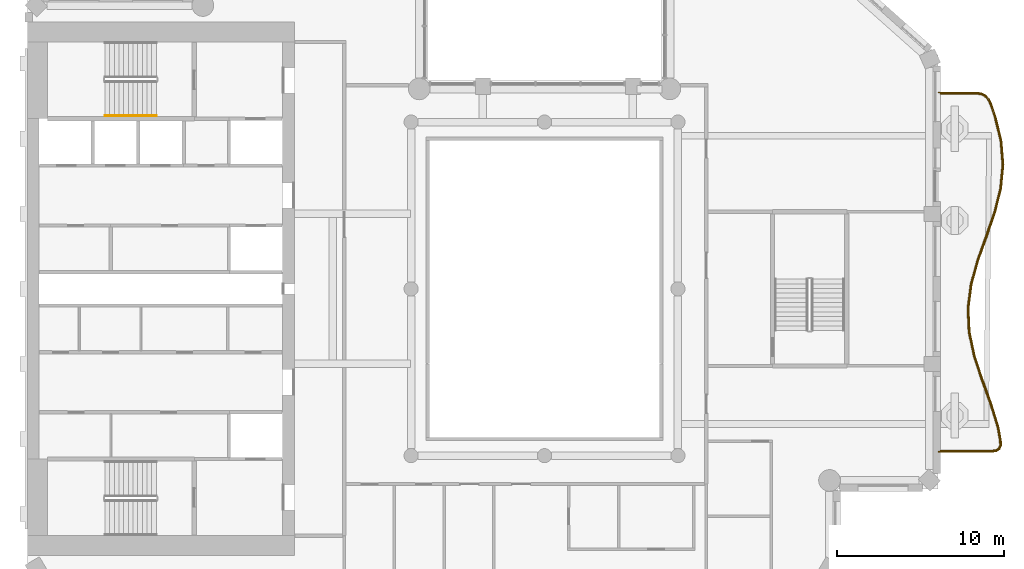
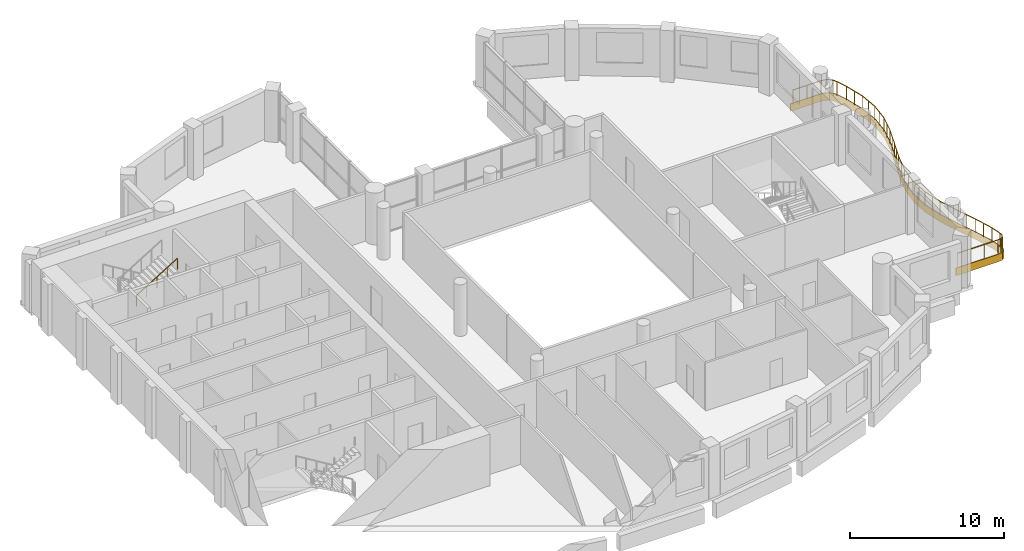
# One storey, part 12 of 14: 2 railings, 1 covering.
"""IFC4 building model written with IfcOpenShell, lengths in metres."""

from ifc_helpers import new_model, si_unit, direction, frame, origin, origin_2d, place, context, subcontext, project, spatial, polyline, rectangle, outline, extrude, material, layer, layer_set, type_object, element, save


model = new_model("IFC4")

# Units and contexts
model_context = context("Model", 3, precision=1e-05, world=origin(), true_north=direction((0.0, 1.0)))
body_context = subcontext(model_context, "Body", "Model", "MODEL_VIEW")
ifc_project = project(units=[si_unit("LENGTHUNIT", "METRE"), si_unit("AREAUNIT", "SQUARE_METRE"), si_unit("VOLUMEUNIT", "CUBIC_METRE"), si_unit("PLANEANGLEUNIT", "RADIAN"), si_unit("MASSUNIT", "GRAM", prefix="KILO")], contexts=[model_context])

# Site, building, storey
site_placement = place(None, origin())
site = spatial("IfcSite", under=ifc_project, at=site_placement, CompositionType="ELEMENT")
building_placement = place(site_placement, origin())
building = spatial("IfcBuilding", under=site, at=building_placement, Name="Cypress Arch Tower", CompositionType="ELEMENT")
storey_placement = place(building_placement, frame((0.0, 0.0, 272.10009765625)))
storey = spatial("IfcBuildingStorey", under=building, at=storey_placement, Name="L61", CompositionType="ELEMENT", Elevation=272.10009765625)

# Covering
ifc_material_1 = material(Name="White powder-coated aluminium fascia", Category="aluminium")
ifc_layer = layer(ifc_material_1, 0.050048828125)
ifc_layer_set = layer_set([ifc_layer], Name="Balcony fascia BF50")
covering_type = type_object("IfcCoveringType", Name="Balcony fascia BF50", PredefinedType="CLADDING", material=ifc_layer_set)
covering_placement = place(storey_placement, frame((0.0, 0.0, -0.60009765625)))
element("IfcCovering", 1, at=covering_placement, inside=storey, type_object=covering_type, Name="Balcony fascia L61-C17", PredefinedType="CLADDING", context=body_context, shape_type="SweptSolid", body=[
    extrude(outline(polyline([(26.863037109375, 11.800048828125), (27.18603515625, 11.75830078125), (27.455810546875, 11.630126953125), (27.664306640625, 11.41650390625), (27.80859375, 11.124267578125), (28.080078125, 10.33056640625), (28.429443359375, 8.891357421875), (28.550048828125, 7.44970703125), (28.411865234375, 6.008056640625), (28.049072265625, 4.569091796875), (27.55224609375, 3.133544921875), (27.04296875, 1.70166015625), (26.64599609375, 0.2734375), (26.4580078125, -1.152099609375), (26.52392578125, -2.576904296875), (26.828125, -4.003662109375), (27.296875, -5.43359375), (27.816162109375, -6.867431640625), (28.25830078125, -8.304931640625), (28.3994140625, -9.099853515625), (28.4091796875, -9.396728515625), (28.311767578125, -9.622314453125), (28.106689453125, -9.757568359375), (27.812744140625, -9.800048828125), (24.60107421875, -9.800048828125), (24.60107421875, -9.75), (27.80908203125, -9.75), (28.088623046875, -9.709716796875), (28.271728515625, -9.5888671875), (28.35888671875, -9.38720703125), (28.349609375, -9.10498046875), (28.20947265625, -8.316650390625), (27.7685546875, -6.88330078125), (27.249755859375, -5.449951171875), (26.77978515625, -4.0166015625), (26.47412109375, -2.583251953125), (26.40771484375, -1.14990234375), (26.596923828125, 0.283447265625), (26.9951171875, 1.716552734375), (27.5048828125, 3.14990234375), (28.001220703125, 4.583251953125), (28.3623046875, 6.0166015625), (28.499755859375, 7.449951171875), (28.3798828125, 8.88330078125), (28.031982421875, 10.316650390625), (27.76220703125, 11.10498046875), (27.623046875, 11.38720703125), (27.42626953125, 11.5888671875), (27.171875, 11.709716796875), (26.85986328125, 11.75), (24.60107421875, 11.75), (24.60107421875, 11.800048828125), (26.863037109375, 11.800048828125)])), origin(), (0.0, 0.0, 1.0), 0.60009765625),
])

# Railings
ifc_material_2 = material(Name="Powder-coated steel posts and rods, 100 mm clear between rods", Category="steel")
railing_type_1 = type_object("IfcRailingType", Name="Balcony guard GR1100", PredefinedType="GUARDRAIL", material=ifc_material_2)
railing_1_placement = place(storey_placement, frame((24.75, 11.699951171875, 0.0)))
element("IfcRailing", 2, at=railing_1_placement, inside=storey, type_object=railing_type_1, Name="Balcony guard L61-C17", PredefinedType="GUARDRAIL", context=body_context, shape_type="SweptSolid", body=[
    extrude(rectangle(XDim=0.050048828125, YDim=0.050048828125, at=origin_2d()), frame((0.0, 0.0, 1.0751953125), z_axis=(1.0, 0.0, 0.0), x_axis=(0.0, 1.0, 0.0)), (0.0, 0.0, 1.0), 2.1064453125),
    extrude(rectangle(XDim=0.050048828125, YDim=0.050048828125, at=origin_2d()), frame((2.1064453125, 0.0, 1.0751953125), z_axis=(0.991787743346, -0.127894769823, 0.0), x_axis=(0.127894769823, 0.991787743346, 0.0)), (0.0, 0.0, 1.0), 0.303466796875),
    extrude(rectangle(XDim=0.050048828125, YDim=0.050048828125, at=origin_2d()), frame((2.407470703125, -0.038818359375, 1.0751953125), z_axis=(0.903098853358, -0.429432720066, 0.0), x_axis=(0.429432720066, 0.903098853358, 0.0)), (0.0, 0.0, 1.0), 0.264892578125),
    extrude(rectangle(XDim=0.050048828125, YDim=0.050048828125, at=origin_2d()), frame((2.646728515625, -0.152587890625, 1.0751953125), z_axis=(0.698761466255, -0.715354746456, 0.0), x_axis=(0.715354746456, 0.698761466255, 0.0)), (0.0, 0.0, 1.0), 0.264892578125),
    extrude(rectangle(XDim=0.050048828125, YDim=0.050048828125, at=origin_2d()), frame((2.831787109375, -0.342041015625, 1.0751953125), z_axis=(0.442381109943, -0.896827159248, 0.0), x_axis=(0.896827159248, 0.442381109943, 0.0)), (0.0, 0.0, 1.0), 0.303466796875),
    extrude(rectangle(XDim=0.050048828125, YDim=0.050048828125, at=origin_2d()), frame((2.966064453125, -0.6142578125, 1.0751953125), z_axis=(0.323917017362, -0.946085496064, 0.0), x_axis=(0.946085496064, 0.323917017362, 0.0)), (0.0, 0.0, 1.0), 0.82763671875),
    extrude(rectangle(XDim=0.050048828125, YDim=0.050048828125, at=origin_2d()), frame((3.234130859375, -1.397216796875, 1.0751953125), z_axis=(0.235685652362, -0.971829343697, 0.0), x_axis=(0.971829343697, 0.235685652362, 0.0)), (0.0, 0.0, 1.0), 1.46875),
    extrude(rectangle(XDim=0.050048828125, YDim=0.050048828125, at=origin_2d()), frame((3.580322265625, -2.82470703125, 1.0751953125), z_axis=(0.083483464198, -0.99650916263, 0.0), x_axis=(0.99650916263, 0.083483464198, 0.0)), (0.0, 0.0, 1.0), 1.429931640625),
    extrude(rectangle(XDim=0.050048828125, YDim=0.050048828125, at=origin_2d()), frame((3.69970703125, -4.249755859375, 1.0751953125), z_axis=(-0.095501185044, -0.995429316253, 0.0), x_axis=(0.995429316253, -0.095501185044, 0.0)), (0.0, 0.0, 1.0), 1.431640625),
    extrude(rectangle(XDim=0.050048828125, YDim=0.050048828125, at=origin_2d()), frame((3.56298828125, -5.6748046875, 1.0751953125), z_axis=(-0.244291244818, -0.969701906621, 0.0), x_axis=(0.969701906621, -0.244291244818, 0.0)), (0.0, 0.0, 1.0), 1.47216796875),
    extrude(rectangle(XDim=0.050048828125, YDim=0.050048828125, at=origin_2d()), frame((3.203369140625, -7.102294921875, 1.0751953125), z_axis=(-0.327232364833, -0.944943902783, 0.0), x_axis=(0.944943902783, -0.327232364833, 0.0)), (0.0, 0.0, 1.0), 1.5146484375),
    extrude(rectangle(XDim=0.050048828125, YDim=0.050048828125, at=origin_2d()), frame((2.707763671875, -8.533447265625, 1.0751953125), z_axis=(-0.335066597489, -0.942194446623, 0.0), x_axis=(0.942194446623, -0.335066597489, 0.0)), (0.0, 0.0, 1.0), 1.52294921875),
    extrude(rectangle(XDim=0.050048828125, YDim=0.050048828125, at=origin_2d()), frame((2.197509765625, -9.96826171875, 1.0751953125), z_axis=(-0.267736652062, -0.963492130296, 0.0), x_axis=(0.963492130296, -0.267736652062, 0.0)), (0.0, 0.0, 1.0), 1.49267578125),
    extrude(rectangle(XDim=0.050048828125, YDim=0.050048828125, at=origin_2d()), frame((1.7978515625, -11.406494140625, 1.0751953125), z_axis=(-0.130810693925, -0.991407364485, 0.0), x_axis=(0.991407364485, -0.130810693925, 0.0)), (0.0, 0.0, 1.0), 1.453857421875),
    extrude(rectangle(XDim=0.050048828125, YDim=0.050048828125, at=origin_2d()), frame((1.607666015625, -12.847900390625, 1.0751953125), z_axis=(0.04617487478, -0.998933371621, 0.0), x_axis=(0.998933371621, 0.04617487478, 0.0)), (0.0, 0.0, 1.0), 1.443359375),
    extrude(rectangle(XDim=0.050048828125, YDim=0.050048828125, at=origin_2d()), frame((1.67431640625, -14.289794921875, 1.0751953125), z_axis=(0.208600407378, -0.978000956054, 0.0), x_axis=(0.978000956054, 0.208600407378, 0.0)), (0.0, 0.0, 1.0), 1.472412109375),
    extrude(rectangle(XDim=0.050048828125, YDim=0.050048828125, at=origin_2d()), frame((1.9814453125, -15.729736328125, 1.0751953125), z_axis=(0.311524373657, -0.950238162051, 0.0), x_axis=(0.950238162051, 0.311524373657, 0.0)), (0.0, 0.0, 1.0), 1.51171875),
    extrude(rectangle(XDim=0.050048828125, YDim=0.050048828125, at=origin_2d()), frame((2.452392578125, -17.166259765625, 1.0751953125), z_axis=(0.340443525681, -0.940264965753, 0.0), x_axis=(0.940264965753, 0.340443525681, 0.0)), (0.0, 0.0, 1.0), 1.52392578125),
    extrude(rectangle(XDim=0.050048828125, YDim=0.050048828125, at=origin_2d()), frame((2.97119140625, -18.59912109375, 1.0751953125), z_axis=(0.294051429313, -0.955789598666, 0.0), x_axis=(0.955789598666, 0.294051429313, 0.0)), (0.0, 0.0, 1.0), 1.495361328125),
    extrude(rectangle(XDim=0.050048828125, YDim=0.050048828125, at=origin_2d()), frame((3.410888671875, -20.0283203125, 1.0751953125), z_axis=(0.174960473354, -0.984575458136, 0.0), x_axis=(0.984575458136, 0.174960473354, 0.0)), (0.0, 0.0, 1.0), 0.7939453125),
    extrude(rectangle(XDim=0.050048828125, YDim=0.050048828125, at=origin_2d()), frame((3.5498046875, -20.81005859375, 1.0751953125), z_axis=(0.032829010383, -0.999460982769, 0.0), x_axis=(0.999460982769, 0.032829010383, 0.0)), (0.0, 0.0, 1.0), 0.267822265625),
    extrude(rectangle(XDim=0.050048828125, YDim=0.050048828125, at=origin_2d()), frame((3.55859375, -21.07763671875, 1.0751953125), z_axis=(-0.397572017318, -0.917570973302, 0.0), x_axis=(0.917570973302, -0.397572017318, 0.0)), (0.0, 0.0, 1.0), 0.193359375),
    extrude(rectangle(XDim=0.050048828125, YDim=0.050048828125, at=origin_2d()), frame((3.481689453125, -21.255126953125, 1.0751953125), z_axis=(-0.834179813968, -0.551492554772, 0.0), x_axis=(0.551492554772, -0.834179813968, 0.0)), (0.0, 0.0, 1.0), 0.193359375),
    extrude(rectangle(XDim=0.050048828125, YDim=0.050048828125, at=origin_2d()), frame((3.3203125, -21.36181640625, 1.0751953125), z_axis=(-0.98982137107, -0.142315330771, 0.0), x_axis=(0.142315330771, -0.98982137107, 0.0)), (0.0, 0.0, 1.0), 0.267578125),
    extrude(rectangle(XDim=0.050048828125, YDim=0.050048828125, at=origin_2d()), frame((3.055419921875, -21.39990234375, 1.0751953125), z_axis=(-1.0, 0.0, 0.0), x_axis=(0.0, -1.0, 0.0)), (0.0, 0.0, 1.0), 3.055419921875),
    extrude(rectangle(XDim=0.0400390625, YDim=0.0400390625, at=origin_2d()), origin(), (0.0, 0.0, 1.0), 1.050048828125),
    extrude(rectangle(XDim=0.0400390625, YDim=0.0400390625, at=origin_2d()), frame((1.05322265625, 0.0, 0.0)), (0.0, 0.0, 1.0), 1.050048828125),
    extrude(rectangle(XDim=0.0400390625, YDim=0.0400390625, at=origin_2d()), frame((2.1064453125, 0.0, 0.0)), (0.0, 0.0, 1.0), 1.050048828125),
    extrude(rectangle(XDim=0.0400390625, YDim=0.0400390625, at=origin_2d()), frame((2.407470703125, -0.038818359375, 0.0)), (0.0, 0.0, 1.0), 1.050048828125),
    extrude(rectangle(XDim=0.0400390625, YDim=0.0400390625, at=origin_2d()), frame((2.646728515625, -0.152587890625, 0.0)), (0.0, 0.0, 1.0), 1.050048828125),
    extrude(rectangle(XDim=0.0400390625, YDim=0.0400390625, at=origin_2d()), frame((2.831787109375, -0.342041015625, 0.0)), (0.0, 0.0, 1.0), 1.050048828125),
    extrude(rectangle(XDim=0.0400390625, YDim=0.0400390625, at=origin_2d()), frame((2.966064453125, -0.6142578125, 0.0)), (0.0, 0.0, 1.0), 1.050048828125),
    extrude(rectangle(XDim=0.0400390625, YDim=0.0400390625, at=origin_2d()), frame((3.234130859375, -1.397216796875, 0.0)), (0.0, 0.0, 1.0), 1.050048828125),
    extrude(rectangle(XDim=0.0400390625, YDim=0.0400390625, at=origin_2d()), frame((3.4072265625, -2.11083984375, 0.0)), (0.0, 0.0, 1.0), 1.050048828125),
    extrude(rectangle(XDim=0.0400390625, YDim=0.0400390625, at=origin_2d()), frame((3.580322265625, -2.82470703125, 0.0)), (0.0, 0.0, 1.0), 1.050048828125),
    extrude(rectangle(XDim=0.0400390625, YDim=0.0400390625, at=origin_2d()), frame((3.64013671875, -3.537109375, 0.0)), (0.0, 0.0, 1.0), 1.050048828125),
    extrude(rectangle(XDim=0.0400390625, YDim=0.0400390625, at=origin_2d()), frame((3.69970703125, -4.249755859375, 0.0)), (0.0, 0.0, 1.0), 1.050048828125),
    extrude(rectangle(XDim=0.0400390625, YDim=0.0400390625, at=origin_2d()), frame((3.63134765625, -4.96240234375, 0.0)), (0.0, 0.0, 1.0), 1.050048828125),
    extrude(rectangle(XDim=0.0400390625, YDim=0.0400390625, at=origin_2d()), frame((3.56298828125, -5.6748046875, 0.0)), (0.0, 0.0, 1.0), 1.050048828125),
    extrude(rectangle(XDim=0.0400390625, YDim=0.0400390625, at=origin_2d()), frame((3.38330078125, -6.388671875, 0.0)), (0.0, 0.0, 1.0), 1.050048828125),
    extrude(rectangle(XDim=0.0400390625, YDim=0.0400390625, at=origin_2d()), frame((3.203369140625, -7.102294921875, 0.0)), (0.0, 0.0, 1.0), 1.050048828125),
    extrude(rectangle(XDim=0.0400390625, YDim=0.0400390625, at=origin_2d()), frame((2.95556640625, -7.81787109375, 0.0)), (0.0, 0.0, 1.0), 1.050048828125),
    extrude(rectangle(XDim=0.0400390625, YDim=0.0400390625, at=origin_2d()), frame((2.707763671875, -8.533447265625, 0.0)), (0.0, 0.0, 1.0), 1.050048828125),
    extrude(rectangle(XDim=0.0400390625, YDim=0.0400390625, at=origin_2d()), frame((2.45263671875, -9.2509765625, 0.0)), (0.0, 0.0, 1.0), 1.050048828125),
    extrude(rectangle(XDim=0.0400390625, YDim=0.0400390625, at=origin_2d()), frame((2.197509765625, -9.96826171875, 0.0)), (0.0, 0.0, 1.0), 1.050048828125),
    extrude(rectangle(XDim=0.0400390625, YDim=0.0400390625, at=origin_2d()), frame((1.99755859375, -10.6875, 0.0)), (0.0, 0.0, 1.0), 1.050048828125),
    extrude(rectangle(XDim=0.0400390625, YDim=0.0400390625, at=origin_2d()), frame((1.7978515625, -11.406494140625, 0.0)), (0.0, 0.0, 1.0), 1.050048828125),
    extrude(rectangle(XDim=0.0400390625, YDim=0.0400390625, at=origin_2d()), frame((1.70263671875, -12.127197265625, 0.0)), (0.0, 0.0, 1.0), 1.050048828125),
    extrude(rectangle(XDim=0.0400390625, YDim=0.0400390625, at=origin_2d()), frame((1.607666015625, -12.847900390625, 0.0)), (0.0, 0.0, 1.0), 1.050048828125),
    extrude(rectangle(XDim=0.0400390625, YDim=0.0400390625, at=origin_2d()), frame((1.64111328125, -13.56884765625, 0.0)), (0.0, 0.0, 1.0), 1.050048828125),
    extrude(rectangle(XDim=0.0400390625, YDim=0.0400390625, at=origin_2d()), frame((1.67431640625, -14.289794921875, 0.0)), (0.0, 0.0, 1.0), 1.050048828125),
    extrude(rectangle(XDim=0.0400390625, YDim=0.0400390625, at=origin_2d()), frame((1.827880859375, -15.009765625, 0.0)), (0.0, 0.0, 1.0), 1.050048828125),
    extrude(rectangle(XDim=0.0400390625, YDim=0.0400390625, at=origin_2d()), frame((1.9814453125, -15.729736328125, 0.0)), (0.0, 0.0, 1.0), 1.050048828125),
    extrude(rectangle(XDim=0.0400390625, YDim=0.0400390625, at=origin_2d()), frame((2.216796875, -16.447998046875, 0.0)), (0.0, 0.0, 1.0), 1.050048828125),
    extrude(rectangle(XDim=0.0400390625, YDim=0.0400390625, at=origin_2d()), frame((2.452392578125, -17.166259765625, 0.0)), (0.0, 0.0, 1.0), 1.050048828125),
    extrude(rectangle(XDim=0.0400390625, YDim=0.0400390625, at=origin_2d()), frame((2.7119140625, -17.8828125, 0.0)), (0.0, 0.0, 1.0), 1.050048828125),
    extrude(rectangle(XDim=0.0400390625, YDim=0.0400390625, at=origin_2d()), frame((2.97119140625, -18.59912109375, 0.0)), (0.0, 0.0, 1.0), 1.050048828125),
    extrude(rectangle(XDim=0.0400390625, YDim=0.0400390625, at=origin_2d()), frame((3.19091796875, -19.313720703125, 0.0)), (0.0, 0.0, 1.0), 1.050048828125),
    extrude(rectangle(XDim=0.0400390625, YDim=0.0400390625, at=origin_2d()), frame((3.410888671875, -20.0283203125, 0.0)), (0.0, 0.0, 1.0), 1.050048828125),
    extrude(rectangle(XDim=0.0400390625, YDim=0.0400390625, at=origin_2d()), frame((3.5498046875, -20.81005859375, 0.0)), (0.0, 0.0, 1.0), 1.050048828125),
    extrude(rectangle(XDim=0.0400390625, YDim=0.0400390625, at=origin_2d()), frame((3.55859375, -21.07763671875, 0.0)), (0.0, 0.0, 1.0), 1.050048828125),
    extrude(rectangle(XDim=0.0400390625, YDim=0.0400390625, at=origin_2d()), frame((3.481689453125, -21.255126953125, 0.0)), (0.0, 0.0, 1.0), 1.050048828125),
    extrude(rectangle(XDim=0.0400390625, YDim=0.0400390625, at=origin_2d()), frame((3.3203125, -21.36181640625, 0.0)), (0.0, 0.0, 1.0), 1.050048828125),
    extrude(rectangle(XDim=0.0400390625, YDim=0.0400390625, at=origin_2d()), frame((3.055419921875, -21.39990234375, 0.0)), (0.0, 0.0, 1.0), 1.050048828125),
    extrude(rectangle(XDim=0.0400390625, YDim=0.0400390625, at=origin_2d()), frame((2.036865234375, -21.39990234375, 0.0)), (0.0, 0.0, 1.0), 1.050048828125),
    extrude(rectangle(XDim=0.0400390625, YDim=0.0400390625, at=origin_2d()), frame((1.0185546875, -21.39990234375, 0.0)), (0.0, 0.0, 1.0), 1.050048828125),
    extrude(rectangle(XDim=0.0400390625, YDim=0.0400390625, at=origin_2d()), frame((0.0, -21.39990234375, 0.0)), (0.0, 0.0, 1.0), 1.050048828125),
])
ifc_material_3 = material(Name="Black powder-coated steel square bar 48 mm", Category="steel")
railing_type_2 = type_object("IfcRailingType", Name="Stair handrail HR1", PredefinedType="HANDRAIL", material=ifc_material_3)
railing_2_placement = place(storey_placement, frame((-25.35498046875, 10.375, 2.220703125)))
element("IfcRailing", 3, at=railing_2_placement, inside=storey, type_object=railing_type_2, Name="L61 B stair handrail 2", PredefinedType="HANDRAIL", context=body_context, shape_type="SweptSolid", body=[
    extrude(rectangle(XDim=0.048095703125, YDim=0.048095703125, at=origin_2d()), frame((0.0, 0.0, 0.8759765625), z_axis=(0.853666305674, 0.0, 0.52082035152), x_axis=(0.0, 1.0, 0.0)), (0.0, 0.0, 1.0), 3.608154296875),
    extrude(rectangle(XDim=0.0419921875, YDim=0.0419921875, at=origin_2d()), origin(), (0.0, 0.0, 1.0), 0.851806640625),
    extrude(rectangle(XDim=0.0419921875, YDim=0.0419921875, at=origin_2d()), frame((0.77001953125, 0.0, 0.4697265625)), (0.0, 0.0, 1.0), 0.851806640625),
    extrude(rectangle(XDim=0.0419921875, YDim=0.0419921875, at=origin_2d()), frame((1.5400390625, 0.0, 0.939453125)), (0.0, 0.0, 1.0), 0.851806640625),
    extrude(rectangle(XDim=0.0419921875, YDim=0.0419921875, at=origin_2d()), frame((2.31005859375, 0.0, 1.409423828125)), (0.0, 0.0, 1.0), 0.851806640625),
    extrude(rectangle(XDim=0.0419921875, YDim=0.0419921875, at=origin_2d()), frame((3.080078125, 0.0, 1.879150390625)), (0.0, 0.0, 1.0), 0.851806640625),
])

save(model, "model.ifc")
